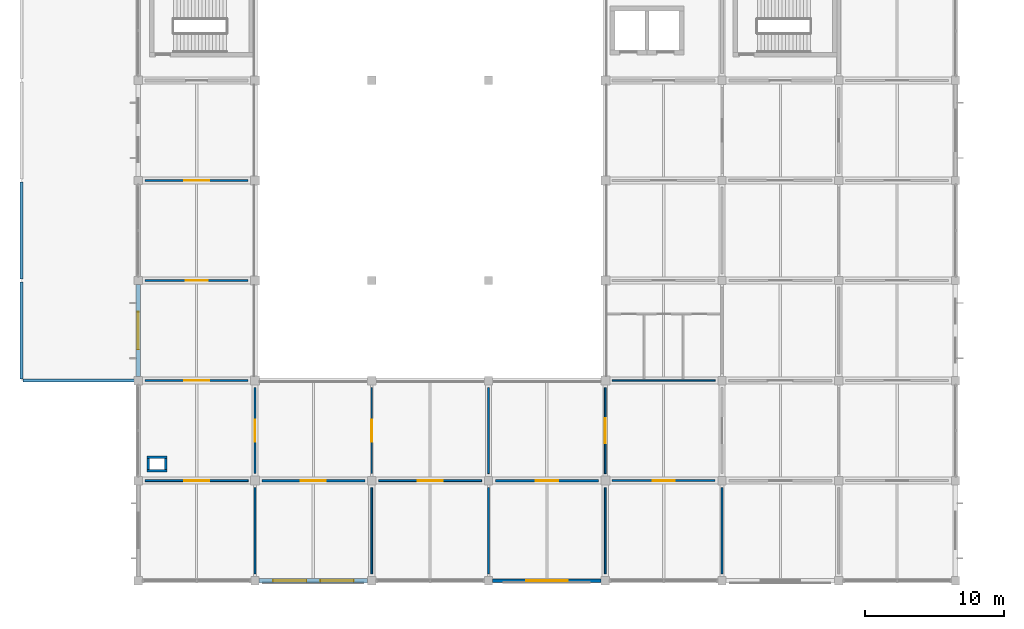
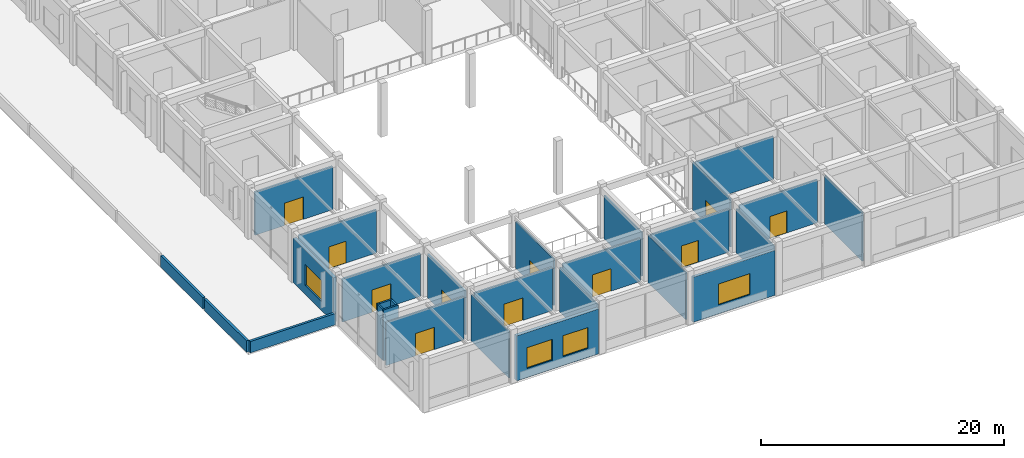
# One storey, part 19 of 38: 28 walls, 11 doors, 4 windows, 15 openings.
"""IFC4 building model written with IfcOpenShell, lengths in metres."""

from ifc_helpers import new_model, si_unit, derived_unit, direction, frame, frame_2d, origin, place, context, subcontext, project, spatial, rectangle, extrude, material, layer, layer_set, type_object, element, fill, save


model = new_model("IFC4")

# Units and contexts
model_context = context("Model", 3, precision=1e-05, world=origin(), true_north=direction((0.0, 1.0)))
body_context = subcontext(model_context, "Body", "Model", "MODEL_VIEW")
ifc_project = project(units=[si_unit("LENGTHUNIT", "METRE"), si_unit("AREAUNIT", "SQUARE_METRE"), si_unit("VOLUMEUNIT", "CUBIC_METRE"), si_unit("PLANEANGLEUNIT", "RADIAN"), si_unit("MASSUNIT", "GRAM", prefix="KILO"), derived_unit("THERMALTRANSMITTANCEUNIT", [(si_unit("MASSUNIT", "GRAM", prefix="KILO"), 1), (si_unit("TIMEUNIT", "SECOND"), -3), (si_unit("THERMODYNAMICTEMPERATUREUNIT", "KELVIN"), -1)])], contexts=[model_context])

# Site, building, storey
site_placement = place(None, origin())
site = spatial("IfcSite", under=ifc_project, at=site_placement, CompositionType="ELEMENT")
building_placement = place(site_placement, origin())
building = spatial("IfcBuilding", under=site, at=building_placement, Name="Veldstrom Oceanarium and Marine Research Institute", CompositionType="ELEMENT")
storey_placement = place(building_placement, frame((0.0, 0.0, 11.39990234375)))
storey = spatial("IfcBuildingStorey", under=building, at=storey_placement, Name="L02", CompositionType="ELEMENT", Elevation=11.39990234375)

# Wall, opening, window
ifc_material_1 = material(Name="Masonry Cavity Wall", Category="masonry")
ifc_layer_1 = layer(ifc_material_1, 0.31005859375)
ifc_layer_set_1 = layer_set([ifc_layer_1], Name="ARC-WAL-EW1")
wall_type_1 = type_object("IfcWallType", Name="ARC-WAL-EW1", PredefinedType="SOLIDWALL", material=ifc_layer_set_1)
wall_1_placement = place(storey_placement, frame((8.39990234375, 14.699951171875, 0.0), z_axis=(0.0, 0.0, 1.0), x_axis=(0.0, 1.0, 0.0)))
wall_1 = element("IfcWall", 1, at=wall_1_placement, inside=storey, type_object=wall_type_1, Name="Exterior Facade Wall EW1 L02-116", PredefinedType="SOLIDWALL", context=body_context, shape_type="SweptSolid", body=[
    extrude(rectangle(XDim=6.60009765625, YDim=0.31005859375, at=frame_2d((3.300048828125, 0.0))), origin(), (0.0, 0.0, 1.0), 4.445068359375),
])
opening_1_placement = place(wall_1_placement, frame((1.949951171875, 0.0, 0.89990234375)))
opening_1 = element("IfcOpeningElement", 2, at=opening_1_placement, cuts=wall_1, Name="Opening W08", PredefinedType="OPENING", context=body_context, shape_type="SweptSolid", body=[
    extrude(rectangle(XDim=2.699951171875, YDim=2.10009765625, at=frame_2d((1.35009765625, 1.050048828125))), frame((0.0, 0.1650390625, 0.0), z_axis=(0.0, -1.0, 0.0), x_axis=(1.0, 0.0, 0.0)), (0.0, 0.0, 1.0), 0.330078125),
])
ifc_material_2 = material(Name="Double Glazed Low-E IGU", Category="glass")
window_type_1 = type_object("IfcWindowType", Name="ARC-WIN-W08", PartitioningType="SINGLE_PANEL", PredefinedType="WINDOW", material=ifc_material_2)
window_1_placement = place(opening_1_placement, origin())
window_1 = element("IfcWindow", 3, at=window_1_placement, inside=storey, type_object=window_type_1, Name="Facade Window W08 L02-0082", OverallHeight=2.10009765625, OverallWidth=2.699951171875, PartitioningType="SINGLE_PANEL", PredefinedType="WINDOW", context=body_context, shape_type="SweptSolid", body=[
    extrude(rectangle(XDim=2.699951171875, YDim=2.10009765625, at=frame_2d((1.35009765625, 1.050048828125))), frame((0.0, 0.030029296875, 0.0), z_axis=(0.0, -1.0, 0.0), x_axis=(1.0, 0.0, 0.0)), (0.0, 0.0, 1.0), 0.06005859375),
])
fill(opening_1, window_1)

# Wall, openings, windows
wall_2_placement = place(storey_placement, frame((17.10009765625, 0.0, 0.0), z_axis=(0.0, 0.0, 1.0), x_axis=(1.0, 0.0, 0.0)))
wall_2 = element("IfcWall", 4, at=wall_2_placement, inside=storey, type_object=wall_type_1, Name="Exterior Facade Wall EW1 L02-121", PredefinedType="SOLIDWALL", context=body_context, shape_type="SweptSolid", body=[
    extrude(rectangle(XDim=7.7998046875, YDim=0.31005859375, at=frame_2d((3.89990234375, 0.0))), origin(), (0.0, 0.0, 1.0), 4.52001953125),
])
opening_2_placement = place(wall_2_placement, frame((1.0, 0.0, 0.89990234375)))
opening_2 = element("IfcOpeningElement", 5, at=opening_2_placement, cuts=wall_2, Name="Opening W09", PredefinedType="OPENING", context=body_context, shape_type="SweptSolid", body=[
    extrude(rectangle(XDim=2.39990234375, YDim=2.10009765625, at=frame_2d((1.199951171875, 1.050048828125))), frame((0.0, 0.1650390625, 0.0), z_axis=(0.0, -1.0, 0.0), x_axis=(1.0, 0.0, 0.0)), (0.0, 0.0, 1.0), 0.330078125),
])
opening_3_placement = place(wall_2_placement, frame((4.39990234375, 0.0, 0.89990234375)))
opening_3 = element("IfcOpeningElement", 6, at=opening_3_placement, cuts=wall_2, Name="Opening W09", PredefinedType="OPENING", context=body_context, shape_type="SweptSolid", body=[
    extrude(rectangle(XDim=2.39990234375, YDim=2.10009765625, at=frame_2d((1.199951171875, 1.050048828125))), frame((0.0, 0.1650390625, 0.0), z_axis=(0.0, -1.0, 0.0), x_axis=(1.0, 0.0, 0.0)), (0.0, 0.0, 1.0), 0.330078125),
])
ifc_material_3 = material(Name="Double Glazed Low-E IGU", Category="glass")
window_type_2 = type_object("IfcWindowType", Name="ARC-WIN-W09", PartitioningType="SINGLE_PANEL", PredefinedType="WINDOW", material=ifc_material_3)
window_2_placement = place(opening_2_placement, origin())
window_2 = element("IfcWindow", 7, at=window_2_placement, inside=storey, type_object=window_type_2, Name="Facade Window W09 L02-0087", OverallHeight=2.10009765625, OverallWidth=2.39990234375, PartitioningType="SINGLE_PANEL", PredefinedType="WINDOW", context=body_context, shape_type="SweptSolid", body=[
    extrude(rectangle(XDim=2.39990234375, YDim=2.10009765625, at=frame_2d((1.199951171875, 1.050048828125))), frame((0.0, 0.030029296875, 0.0), z_axis=(0.0, -1.0, 0.0), x_axis=(1.0, 0.0, 0.0)), (0.0, 0.0, 1.0), 0.06005859375),
])
fill(opening_2, window_2)
window_3_placement = place(opening_3_placement, origin())
window_3 = element("IfcWindow", 8, at=window_3_placement, inside=storey, type_object=window_type_2, Name="Facade Window W09 L02-0088", OverallHeight=2.10009765625, OverallWidth=2.39990234375, PartitioningType="SINGLE_PANEL", PredefinedType="WINDOW", context=body_context, shape_type="SweptSolid", body=[
    extrude(rectangle(XDim=2.39990234375, YDim=2.10009765625, at=frame_2d((1.199951171875, 1.050048828125))), frame((0.0, 0.030029296875, 0.0), z_axis=(0.0, -1.0, 0.0), x_axis=(1.0, 0.0, 0.0)), (0.0, 0.0, 1.0), 0.06005859375),
])
fill(opening_3, window_3)

# Wall, opening, window
ifc_material_4 = material(Name="Masonry Cavity Wall", Category="masonry")
ifc_layer_2 = layer(ifc_material_4, 0.25)
ifc_layer_set_2 = layer_set([ifc_layer_2], Name="ARC-WAL-EW5")
wall_type_2 = type_object("IfcWallType", Name="ARC-WAL-EW5", PredefinedType="SOLIDWALL", material=ifc_layer_set_2)
wall_3_placement = place(storey_placement, frame((33.89990234375, 0.0, 0.0), z_axis=(0.0, 0.0, 1.0), x_axis=(1.0, 0.0, 0.0)))
wall_3 = element("IfcWall", 9, at=wall_3_placement, inside=storey, type_object=wall_type_2, Name="Exterior Facade Wall EW5 L02-124", PredefinedType="SOLIDWALL", context=body_context, shape_type="SweptSolid", body=[
    extrude(rectangle(XDim=7.800048828125, YDim=0.25, at=frame_2d((3.89990234375, 0.0))), origin(), (0.0, 0.0, 1.0), 4.52001953125),
])
opening_4_placement = place(wall_3_placement, frame((2.39990234375, 0.0, 0.89990234375)))
opening_4 = element("IfcOpeningElement", 10, at=opening_4_placement, cuts=wall_3, Name="Opening W07", PredefinedType="OPENING", context=body_context, shape_type="SweptSolid", body=[
    extrude(rectangle(XDim=3.0, YDim=2.10009765625, at=frame_2d((1.5, 1.050048828125))), frame((0.0, 0.135009765625, 0.0), z_axis=(0.0, -1.0, 0.0), x_axis=(1.0, 0.0, 0.0)), (0.0, 0.0, 1.0), 0.27001953125),
])
ifc_material_5 = material(Name="Double Glazed Low-E IGU", Category="glass")
window_type_3 = type_object("IfcWindowType", Name="ARC-WIN-W07", PartitioningType="SINGLE_PANEL", PredefinedType="WINDOW", material=ifc_material_5)
window_4_placement = place(opening_4_placement, origin())
window_4 = element("IfcWindow", 11, at=window_4_placement, inside=storey, type_object=window_type_3, Name="Facade Window W07 L02-0089", OverallHeight=2.10009765625, OverallWidth=3.0, PartitioningType="SINGLE_PANEL", PredefinedType="WINDOW", context=body_context, shape_type="SweptSolid", body=[
    extrude(rectangle(XDim=3.0, YDim=2.10009765625, at=frame_2d((1.5, 1.050048828125))), frame((0.0, 0.030029296875, 0.0), z_axis=(0.0, -1.0, 0.0), x_axis=(1.0, 0.0, 0.0)), (0.0, 0.0, 1.0), 0.06005859375),
])
fill(opening_4, window_4)

# Walls
ifc_material_6 = material(Name="Masonry Cavity Wall", Category="masonry")
ifc_layer_3 = layer(ifc_material_6, 0.219970703125)
ifc_layer_set_3 = layer_set([ifc_layer_3], Name="ARC-WAL-PR1")
wall_type_3 = type_object("IfcWallType", Name="ARC-WAL-PR1", PredefinedType="PARAPET", material=ifc_layer_set_3)
wall_4_placement = place(storey_placement, frame((0.1201171875, 14.39990234375, 0.0), z_axis=(0.0, 0.0, 1.0), x_axis=(1.0, 0.0, 0.0)))
element("IfcWall", 12, at=wall_4_placement, inside=storey, type_object=wall_type_3, Name="Roof Parapet Wall L01-022", PredefinedType="PARAPET", context=body_context, shape_type="SweptSolid", body=[
    extrude(rectangle(XDim=8.159912109375, YDim=0.219970703125, at=frame_2d((4.080078125, 0.0))), origin(), (0.0, 0.0, 1.0), 1.150146484375),
])
for number, where, z_axis, x_axis, name in (
    (13, (0.0, 14.52001953125, 0.0), (0.0, 0.0, 1.0), (0.0, 1.0, 0.0), "Roof Parapet Wall L01-023"),
    (14, (0.0, 21.719970703125, 0.0), (0.0, 0.0, 1.0), (0.0, 1.0, 0.0), "Roof Parapet Wall L01-024"),
):
    element("IfcWall", number, at=place(storey_placement, frame(where, z_axis=z_axis, x_axis=x_axis)), inside=storey, type_object=wall_type_3, Name=name, PredefinedType="PARAPET", context=body_context, shape_type="SweptSolid", body=[
        extrude(rectangle(XDim=6.9599609375, YDim=0.219970703125, at=frame_2d((3.47998046875, 0.0))), origin(), (0.0, 0.0, 1.0), 1.150146484375),
    ])

# Wall, opening, door
ifc_material_7 = material(Name="Drywall Corridor Partition", Category="gypsum")
ifc_layer_4 = layer(ifc_material_7, 0.155029296875)
ifc_layer_set_4 = layer_set([ifc_layer_4], Name="ARC-WAL-PT4")
wall_type_4 = type_object("IfcWallType", Name="ARC-WAL-PT4", PredefinedType="PARTITIONING", material=ifc_layer_set_4)
wall_5_placement = place(storey_placement, frame((16.800048828125, 7.699951171875, 0.0), z_axis=(0.0, 0.0, 1.0), x_axis=(0.0, 1.0, 0.0)))
wall_5 = element("IfcWall", 15, at=wall_5_placement, inside=storey, type_object=wall_type_4, Name="Interior Partition PT4 L02-1064", PredefinedType="PARTITIONING", context=body_context, shape_type="SweptSolid", body=[
    extrude(rectangle(XDim=6.199951171875, YDim=0.155029296875, at=frame_2d((3.10009765625, 0.0))), origin(), (0.0, 0.0, 1.0), 4.39501953125),
])
opening_5_placement = place(wall_5_placement, frame((2.300048828125, 0.0, 0.0)))
opening_5 = element("IfcOpeningElement", 16, at=opening_5_placement, cuts=wall_5, Name="Opening D-L02-619", PredefinedType="OPENING", context=body_context, shape_type="SweptSolid", body=[
    extrude(rectangle(XDim=1.60009765625, YDim=2.199951171875, at=frame_2d((0.800048828125, 1.10009765625))), frame((0.0, 0.08740234375, 0.0), z_axis=(0.0, -1.0, 0.0), x_axis=(1.0, 0.0, 0.0)), (0.0, 0.0, 1.0), 0.175048828125),
])
ifc_material_8 = material(Name="Acoustic Timber Corridor Door", Category="wood")
door_type_1 = type_object("IfcDoorType", Name="ARC-DOR-ID02", OperationType="DOUBLE_DOOR_SINGLE_SWING", PredefinedType="DOOR", material=ifc_material_8)
door_1_placement = place(opening_5_placement, frame((1.60009765625, 0.0, 0.0), z_axis=(0.0, 0.0, 1.0), x_axis=(-1.0, 0.0, 0.0)))
door_1 = element("IfcDoor", 17, at=door_1_placement, inside=storey, type_object=door_type_1, Name="Interior Door D-L02-619", OperationType="DOUBLE_DOOR_SINGLE_SWING", OverallHeight=2.199951171875, OverallWidth=1.60009765625, PredefinedType="DOOR", context=body_context, shape_type="SweptSolid", body=[
    extrude(rectangle(XDim=1.60009765625, YDim=2.199951171875, at=frame_2d((0.800048828125, 1.10009765625))), frame((0.0, 0.02490234375, 0.0), z_axis=(0.0, -1.0, 0.0), x_axis=(1.0, 0.0, 0.0)), (0.0, 0.0, 1.0), 0.050048828125),
])
fill(opening_5, door_1)

wall_6_placement = place(storey_placement, frame((8.89990234375, 14.39990234375, 0.0), z_axis=(0.0, 0.0, 1.0), x_axis=(1.0, 0.0, 0.0)))
wall_6 = element("IfcWall", 18, at=wall_6_placement, inside=storey, type_object=wall_type_4, Name="Interior Partition PT4 L02-1065", PredefinedType="PARTITIONING", context=body_context, shape_type="SweptSolid", body=[
    extrude(rectangle(XDim=7.400146484375, YDim=0.155029296875, at=frame_2d((3.7001953125, 0.0))), origin(), (0.0, 0.0, 1.0), 4.34521484375),
])
opening_6_placement = place(wall_6_placement, frame((2.800048828125, 0.0, 0.0)))
opening_6 = element("IfcOpeningElement", 19, at=opening_6_placement, cuts=wall_6, Name="Opening D-L02-620", PredefinedType="OPENING", context=body_context, shape_type="SweptSolid", body=[
    extrude(rectangle(XDim=1.800048828125, YDim=2.25, at=frame_2d((0.89990234375, 1.125))), frame((0.0, 0.08740234375, 0.0), z_axis=(0.0, -1.0, 0.0), x_axis=(1.0, 0.0, 0.0)), (0.0, 0.0, 1.0), 0.175048828125),
])
ifc_material_9 = material(Name="Acoustic Timber Gallery Door", Category="wood")
door_type_2 = type_object("IfcDoorType", Name="ARC-DOR-ID01", OperationType="DOUBLE_DOOR_SINGLE_SWING", PredefinedType="DOOR", material=ifc_material_9)
door_2_placement = place(opening_6_placement, origin())
door_2 = element("IfcDoor", 20, at=door_2_placement, inside=storey, type_object=door_type_2, Name="Interior Door D-L02-620", OperationType="DOUBLE_DOOR_SINGLE_SWING", OverallHeight=2.25, OverallWidth=1.800048828125, PredefinedType="DOOR", context=body_context, shape_type="SweptSolid", body=[
    extrude(rectangle(XDim=1.800048828125, YDim=2.25, at=frame_2d((0.89990234375, 1.125))), frame((0.0, 0.02490234375, 0.0), z_axis=(0.0, -1.0, 0.0), x_axis=(1.0, 0.0, 0.0)), (0.0, 0.0, 1.0), 0.050048828125),
])
fill(opening_6, door_2)

wall_7_placement = place(storey_placement, frame((8.89990234375, 28.800048828125, 0.0), z_axis=(0.0, 0.0, 1.0), x_axis=(1.0, 0.0, 0.0)))
wall_7 = element("IfcWall", 21, at=wall_7_placement, inside=storey, type_object=wall_type_4, Name="Interior Partition PT4 L02-1067", PredefinedType="PARTITIONING", context=body_context, shape_type="SweptSolid", body=[
    extrude(rectangle(XDim=7.400146484375, YDim=0.155029296875, at=frame_2d((3.7001953125, 0.0))), origin(), (0.0, 0.0, 1.0), 4.34521484375),
])
opening_7_placement = place(wall_7_placement, frame((2.800048828125, 0.0, 0.0)))
opening_7 = element("IfcOpeningElement", 22, at=opening_7_placement, cuts=wall_7, Name="Opening D-L02-622", PredefinedType="OPENING", context=body_context, shape_type="SweptSolid", body=[
    extrude(rectangle(XDim=1.800048828125, YDim=2.25, at=frame_2d((0.89990234375, 1.125))), frame((0.0, 0.08740234375, 0.0), z_axis=(0.0, -1.0, 0.0), x_axis=(1.0, 0.0, 0.0)), (0.0, 0.0, 1.0), 0.175048828125),
])
door_3_placement = place(opening_7_placement, origin())
door_3 = element("IfcDoor", 23, at=door_3_placement, inside=storey, type_object=door_type_2, Name="Interior Door D-L02-622", OperationType="DOUBLE_DOOR_SINGLE_SWING", OverallHeight=2.25, OverallWidth=1.800048828125, PredefinedType="DOOR", context=body_context, shape_type="SweptSolid", body=[
    extrude(rectangle(XDim=1.800048828125, YDim=2.25, at=frame_2d((0.89990234375, 1.125))), frame((0.0, 0.02490234375, 0.0), z_axis=(0.0, -1.0, 0.0), x_axis=(1.0, 0.0, 0.0)), (0.0, 0.0, 1.0), 0.050048828125),
])
fill(opening_7, door_3)

wall_8_placement = place(storey_placement, frame((17.300048828125, 7.199951171875, 0.0), z_axis=(0.0, 0.0, 1.0), x_axis=(1.0, 0.0, 0.0)))
wall_8 = element("IfcWall", 24, at=wall_8_placement, inside=storey, type_object=wall_type_4, Name="Interior Partition PT4 L02-1078", PredefinedType="PARTITIONING", context=body_context, shape_type="SweptSolid", body=[
    extrude(rectangle(XDim=7.39990234375, YDim=0.155029296875, at=frame_2d((3.699951171875, 0.0))), origin(), (0.0, 0.0, 1.0), 4.34521484375),
])
opening_8_placement = place(wall_8_placement, frame((2.800048828125, 0.0, 0.0)))
opening_8 = element("IfcOpeningElement", 25, at=opening_8_placement, cuts=wall_8, Name="Opening D-L02-628", PredefinedType="OPENING", context=body_context, shape_type="SweptSolid", body=[
    extrude(rectangle(XDim=1.800048828125, YDim=2.25, at=frame_2d((0.89990234375, 1.125))), frame((0.0, 0.08740234375, 0.0), z_axis=(0.0, -1.0, 0.0), x_axis=(1.0, 0.0, 0.0)), (0.0, 0.0, 1.0), 0.175048828125),
])
door_4_placement = place(opening_8_placement, origin())
door_4 = element("IfcDoor", 26, at=door_4_placement, inside=storey, type_object=door_type_2, Name="Interior Door D-L02-628", OperationType="DOUBLE_DOOR_SINGLE_SWING", OverallHeight=2.25, OverallWidth=1.800048828125, PredefinedType="DOOR", context=body_context, shape_type="SweptSolid", body=[
    extrude(rectangle(XDim=1.800048828125, YDim=2.25, at=frame_2d((0.89990234375, 1.125))), frame((0.0, 0.02490234375, 0.0), z_axis=(0.0, -1.0, 0.0), x_axis=(1.0, 0.0, 0.0)), (0.0, 0.0, 1.0), 0.050048828125),
])
fill(opening_8, door_4)

wall_9_placement = place(storey_placement, frame((34.10009765625, 7.199951171875, 0.0), z_axis=(0.0, 0.0, 1.0), x_axis=(1.0, 0.0, 0.0)))
wall_9 = element("IfcWall", 27, at=wall_9_placement, inside=storey, type_object=wall_type_4, Name="Interior Partition PT4 L02-1098", PredefinedType="PARTITIONING", context=body_context, shape_type="SweptSolid", body=[
    extrude(rectangle(XDim=7.39990234375, YDim=0.155029296875, at=frame_2d((3.699951171875, 0.0))), origin(), (0.0, 0.0, 1.0), 4.34521484375),
])
opening_9_placement = place(wall_9_placement, frame((2.89990234375, 0.0, 0.0)))
opening_9 = element("IfcOpeningElement", 28, at=opening_9_placement, cuts=wall_9, Name="Opening D-L02-639", PredefinedType="OPENING", context=body_context, shape_type="SweptSolid", body=[
    extrude(rectangle(XDim=1.60009765625, YDim=2.199951171875, at=frame_2d((0.800048828125, 1.10009765625))), frame((0.0, 0.08740234375, 0.0), z_axis=(0.0, -1.0, 0.0), x_axis=(1.0, 0.0, 0.0)), (0.0, 0.0, 1.0), 0.175048828125),
])
door_5_placement = place(opening_9_placement, origin())
door_5 = element("IfcDoor", 29, at=door_5_placement, inside=storey, type_object=door_type_1, Name="Interior Door D-L02-639", OperationType="DOUBLE_DOOR_SINGLE_SWING", OverallHeight=2.199951171875, OverallWidth=1.60009765625, PredefinedType="DOOR", context=body_context, shape_type="SweptSolid", body=[
    extrude(rectangle(XDim=1.60009765625, YDim=2.199951171875, at=frame_2d((0.800048828125, 1.10009765625))), frame((0.0, 0.02490234375, 0.0), z_axis=(0.0, -1.0, 0.0), x_axis=(1.0, 0.0, 0.0)), (0.0, 0.0, 1.0), 0.050048828125),
])
fill(opening_9, door_5)

ifc_material_10 = material(Name="Moisture-Resistant Wet-Area Partition", Category="masonry")
ifc_layer_5 = layer(ifc_material_10, 0.139892578125)
ifc_layer_set_5 = layer_set([ifc_layer_5], Name="ARC-WAL-PT5")
wall_type_5 = type_object("IfcWallType", Name="ARC-WAL-PT5", PredefinedType="PARTITIONING", material=ifc_layer_set_5)
wall_10_placement = place(storey_placement, frame((8.89990234375, 7.199951171875, 0.0), z_axis=(0.0, 0.0, 1.0), x_axis=(1.0, 0.0, 0.0)))
wall_10 = element("IfcWall", 30, at=wall_10_placement, inside=storey, type_object=wall_type_5, Name="Interior Partition PT5 L02-1063", PredefinedType="PARTITIONING", context=body_context, shape_type="SweptSolid", body=[
    extrude(rectangle(XDim=7.400146484375, YDim=0.139892578125, at=frame_2d((3.7001953125, 0.0))), origin(), (0.0, 0.0, 1.0), 4.34521484375),
])
opening_10_placement = place(wall_10_placement, frame((2.800048828125, 0.0, 0.0)))
opening_10 = element("IfcOpeningElement", 31, at=opening_10_placement, cuts=wall_10, Name="Opening D-L02-618", PredefinedType="OPENING", context=body_context, shape_type="SweptSolid", body=[
    extrude(rectangle(XDim=1.800048828125, YDim=2.25, at=frame_2d((0.89990234375, 1.125))), frame((0.0, 0.079833984375, 0.0), z_axis=(0.0, -1.0, 0.0), x_axis=(1.0, 0.0, 0.0)), (0.0, 0.0, 1.0), 0.159912109375),
])
door_6_placement = place(opening_10_placement, frame((1.800048828125, 0.0, 0.0), z_axis=(0.0, 0.0, 1.0), x_axis=(-1.0, 0.0, 0.0)))
door_6 = element("IfcDoor", 32, at=door_6_placement, inside=storey, type_object=door_type_2, Name="Interior Door D-L02-618", OperationType="DOUBLE_DOOR_SINGLE_SWING", OverallHeight=2.25, OverallWidth=1.800048828125, PredefinedType="DOOR", context=body_context, shape_type="SweptSolid", body=[
    extrude(rectangle(XDim=1.800048828125, YDim=2.25, at=frame_2d((0.89990234375, 1.125))), frame((0.0, 0.02490234375, 0.0), z_axis=(0.0, -1.0, 0.0), x_axis=(1.0, 0.0, 0.0)), (0.0, 0.0, 1.0), 0.050048828125),
])
fill(opening_10, door_6)

wall_11_placement = place(storey_placement, frame((8.89990234375, 21.60009765625, 0.0), z_axis=(0.0, 0.0, 1.0), x_axis=(1.0, 0.0, 0.0)))
wall_11 = element("IfcWall", 33, at=wall_11_placement, inside=storey, type_object=wall_type_5, Name="Interior Partition PT5 L02-1066", PredefinedType="PARTITIONING", context=body_context, shape_type="SweptSolid", body=[
    extrude(rectangle(XDim=7.400146484375, YDim=0.139892578125, at=frame_2d((3.7001953125, 0.0))), origin(), (0.0, 0.0, 1.0), 4.34521484375),
])
opening_11_placement = place(wall_11_placement, frame((2.89990234375, 0.0, 0.0)))
opening_11 = element("IfcOpeningElement", 34, at=opening_11_placement, cuts=wall_11, Name="Opening D-L02-621", PredefinedType="OPENING", context=body_context, shape_type="SweptSolid", body=[
    extrude(rectangle(XDim=1.60009765625, YDim=2.199951171875, at=frame_2d((0.800048828125, 1.10009765625))), frame((0.0, 0.079833984375, 0.0), z_axis=(0.0, -1.0, 0.0), x_axis=(1.0, 0.0, 0.0)), (0.0, 0.0, 1.0), 0.159912109375),
])
door_7_placement = place(opening_11_placement, frame((1.60009765625, 0.0, 0.0), z_axis=(0.0, 0.0, 1.0), x_axis=(-1.0, 0.0, 0.0)))
door_7 = element("IfcDoor", 35, at=door_7_placement, inside=storey, type_object=door_type_1, Name="Interior Door D-L02-621", OperationType="DOUBLE_DOOR_SINGLE_SWING", OverallHeight=2.199951171875, OverallWidth=1.60009765625, PredefinedType="DOOR", context=body_context, shape_type="SweptSolid", body=[
    extrude(rectangle(XDim=1.60009765625, YDim=2.199951171875, at=frame_2d((0.800048828125, 1.10009765625))), frame((0.0, 0.02490234375, 0.0), z_axis=(0.0, -1.0, 0.0), x_axis=(1.0, 0.0, 0.0)), (0.0, 0.0, 1.0), 0.050048828125),
])
fill(opening_11, door_7)

wall_12_placement = place(storey_placement, frame((25.199951171875, 7.699951171875, 0.0), z_axis=(0.0, 0.0, 1.0), x_axis=(0.0, 1.0, 0.0)))
wall_12 = element("IfcWall", 36, at=wall_12_placement, inside=storey, type_object=wall_type_5, Name="Interior Partition PT5 L02-1079", PredefinedType="PARTITIONING", context=body_context, shape_type="SweptSolid", body=[
    extrude(rectangle(XDim=6.199951171875, YDim=0.139892578125, at=frame_2d((3.10009765625, 0.0))), origin(), (0.0, 0.0, 1.0), 4.695068359375),
])
opening_12_placement = place(wall_12_placement, frame((2.300048828125, 0.0, 0.0)))
opening_12 = element("IfcOpeningElement", 37, at=opening_12_placement, cuts=wall_12, Name="Opening D-L02-629", PredefinedType="OPENING", context=body_context, shape_type="SweptSolid", body=[
    extrude(rectangle(XDim=1.60009765625, YDim=2.199951171875, at=frame_2d((0.800048828125, 1.10009765625))), frame((0.0, 0.079833984375, 0.0), z_axis=(0.0, -1.0, 0.0), x_axis=(1.0, 0.0, 0.0)), (0.0, 0.0, 1.0), 0.159912109375),
])
door_8_placement = place(opening_12_placement, origin())
door_8 = element("IfcDoor", 38, at=door_8_placement, inside=storey, type_object=door_type_1, Name="Interior Door D-L02-629", OperationType="DOUBLE_DOOR_SINGLE_SWING", OverallHeight=2.199951171875, OverallWidth=1.60009765625, PredefinedType="DOOR", context=body_context, shape_type="SweptSolid", body=[
    extrude(rectangle(XDim=1.60009765625, YDim=2.199951171875, at=frame_2d((0.800048828125, 1.10009765625))), frame((0.0, 0.02490234375, 0.0), z_axis=(0.0, -1.0, 0.0), x_axis=(1.0, 0.0, 0.0)), (0.0, 0.0, 1.0), 0.050048828125),
])
fill(opening_12, door_8)

wall_13_placement = place(storey_placement, frame((25.699951171875, 7.199951171875, 0.0), z_axis=(0.0, 0.0, 1.0), x_axis=(1.0, 0.0, 0.0)))
wall_13 = element("IfcWall", 39, at=wall_13_placement, inside=storey, type_object=wall_type_5, Name="Interior Partition PT5 L02-1088", PredefinedType="PARTITIONING", context=body_context, shape_type="SweptSolid", body=[
    extrude(rectangle(XDim=7.400146484375, YDim=0.139892578125, at=frame_2d((3.7001953125, 0.0))), origin(), (0.0, 0.0, 1.0), 4.34521484375),
])
opening_13_placement = place(wall_13_placement, frame((2.800048828125, 0.0, 0.0)))
opening_13 = element("IfcOpeningElement", 40, at=opening_13_placement, cuts=wall_13, Name="Opening D-L02-634", PredefinedType="OPENING", context=body_context, shape_type="SweptSolid", body=[
    extrude(rectangle(XDim=1.800048828125, YDim=2.25, at=frame_2d((0.89990234375, 1.125))), frame((0.0, 0.079833984375, 0.0), z_axis=(0.0, -1.0, 0.0), x_axis=(1.0, 0.0, 0.0)), (0.0, 0.0, 1.0), 0.159912109375),
])
door_9_placement = place(opening_13_placement, frame((1.800048828125, 0.0, 0.0), z_axis=(0.0, 0.0, 1.0), x_axis=(-1.0, 0.0, 0.0)))
door_9 = element("IfcDoor", 41, at=door_9_placement, inside=storey, type_object=door_type_2, Name="Interior Door D-L02-634", OperationType="DOUBLE_DOOR_SINGLE_SWING", OverallHeight=2.25, OverallWidth=1.800048828125, PredefinedType="DOOR", context=body_context, shape_type="SweptSolid", body=[
    extrude(rectangle(XDim=1.800048828125, YDim=2.25, at=frame_2d((0.89990234375, 1.125))), frame((0.0, 0.02490234375, 0.0), z_axis=(0.0, -1.0, 0.0), x_axis=(1.0, 0.0, 0.0)), (0.0, 0.0, 1.0), 0.050048828125),
])
fill(opening_13, door_9)

wall_14_placement = place(storey_placement, frame((42.0, 7.699951171875, 0.0), z_axis=(0.0, 0.0, 1.0), x_axis=(0.0, 1.0, 0.0)))
wall_14 = element("IfcWall", 42, at=wall_14_placement, inside=storey, type_object=wall_type_5, Name="Interior Partition PT5 L02-1099", PredefinedType="PARTITIONING", context=body_context, shape_type="SweptSolid", body=[
    extrude(rectangle(XDim=6.199951171875, YDim=0.139892578125, at=frame_2d((3.10009765625, 0.0))), origin(), (0.0, 0.0, 1.0), 4.80517578125),
])
opening_14_placement = place(wall_14_placement, frame((2.199951171875, 0.0, 0.0)))
opening_14 = element("IfcOpeningElement", 43, at=opening_14_placement, cuts=wall_14, Name="Opening D-L02-640", PredefinedType="OPENING", context=body_context, shape_type="SweptSolid", body=[
    extrude(rectangle(XDim=1.800048828125, YDim=2.25, at=frame_2d((0.89990234375, 1.125))), frame((0.0, 0.079833984375, 0.0), z_axis=(0.0, -1.0, 0.0), x_axis=(1.0, 0.0, 0.0)), (0.0, 0.0, 1.0), 0.159912109375),
])
door_10_placement = place(opening_14_placement, origin())
door_10 = element("IfcDoor", 44, at=door_10_placement, inside=storey, type_object=door_type_2, Name="Interior Door D-L02-640", OperationType="DOUBLE_DOOR_SINGLE_SWING", OverallHeight=2.25, OverallWidth=1.800048828125, PredefinedType="DOOR", context=body_context, shape_type="SweptSolid", body=[
    extrude(rectangle(XDim=1.800048828125, YDim=2.25, at=frame_2d((0.89990234375, 1.125))), frame((0.0, 0.02490234375, 0.0), z_axis=(0.0, -1.0, 0.0), x_axis=(1.0, 0.0, 0.0)), (0.0, 0.0, 1.0), 0.050048828125),
])
fill(opening_14, door_10)

wall_15_placement = place(storey_placement, frame((42.5, 7.199951171875, 0.0), z_axis=(0.0, 0.0, 1.0), x_axis=(1.0, 0.0, 0.0)))
wall_15 = element("IfcWall", 45, at=wall_15_placement, inside=storey, type_object=wall_type_5, Name="Interior Partition PT5 L02-1108", PredefinedType="PARTITIONING", context=body_context, shape_type="SweptSolid", body=[
    extrude(rectangle(XDim=7.39990234375, YDim=0.139892578125, at=frame_2d((3.699951171875, 0.0))), origin(), (0.0, 0.0, 1.0), 4.34521484375),
])
opening_15_placement = place(wall_15_placement, frame((2.89990234375, 0.0, 0.0)))
opening_15 = element("IfcOpeningElement", 46, at=opening_15_placement, cuts=wall_15, Name="Opening D-L02-645", PredefinedType="OPENING", context=body_context, shape_type="SweptSolid", body=[
    extrude(rectangle(XDim=1.60009765625, YDim=2.199951171875, at=frame_2d((0.800048828125, 1.10009765625))), frame((0.0, 0.079833984375, 0.0), z_axis=(0.0, -1.0, 0.0), x_axis=(1.0, 0.0, 0.0)), (0.0, 0.0, 1.0), 0.159912109375),
])
door_11_placement = place(opening_15_placement, frame((1.60009765625, 0.0, 0.0), z_axis=(0.0, 0.0, 1.0), x_axis=(-1.0, 0.0, 0.0)))
door_11 = element("IfcDoor", 47, at=door_11_placement, inside=storey, type_object=door_type_1, Name="Interior Door D-L02-645", OperationType="DOUBLE_DOOR_SINGLE_SWING", OverallHeight=2.199951171875, OverallWidth=1.60009765625, PredefinedType="DOOR", context=body_context, shape_type="SweptSolid", body=[
    extrude(rectangle(XDim=1.60009765625, YDim=2.199951171875, at=frame_2d((0.800048828125, 1.10009765625))), frame((0.0, 0.02490234375, 0.0), z_axis=(0.0, -1.0, 0.0), x_axis=(1.0, 0.0, 0.0)), (0.0, 0.0, 1.0), 0.050048828125),
])
fill(opening_15, door_11)

# Walls
ifc_material_11 = material(Name="Lightweight Studio Partition", Category="gypsum")
ifc_layer_6 = layer(ifc_material_11, 0.1201171875)
ifc_layer_set_6 = layer_set([ifc_layer_6], Name="ARC-WAL-PT6")
wall_type_6 = type_object("IfcWallType", Name="ARC-WAL-PT6", PredefinedType="PARTITIONING", material=ifc_layer_set_6)
wall_16_placement = place(storey_placement, frame((16.800048828125, 0.5, 0.0), z_axis=(0.0, 0.0, 1.0), x_axis=(0.0, 1.0, 0.0)))
element("IfcWall", 48, at=wall_16_placement, inside=storey, type_object=wall_type_6, Name="Interior Partition PT6 L02-1062", PredefinedType="PARTITIONING", context=body_context, shape_type="SweptSolid", body=[
    extrude(rectangle(XDim=6.199951171875, YDim=0.1201171875, at=frame_2d((3.10009765625, 0.0))), origin(), (0.0, 0.0, 1.0), 4.670166015625),
])
wall_17_placement = place(storey_placement, frame((25.199951171875, 0.5, 0.0), z_axis=(0.0, 0.0, 1.0), x_axis=(0.0, 1.0, 0.0)))
element("IfcWall", 49, at=wall_17_placement, inside=storey, type_object=wall_type_6, Name="Interior Partition PT6 L02-1077", PredefinedType="PARTITIONING", context=body_context, shape_type="SweptSolid", body=[
    extrude(rectangle(XDim=6.199951171875, YDim=0.1201171875, at=frame_2d((3.10009765625, 0.0))), origin(), (0.0, 0.0, 1.0), 4.47021484375),
])
wall_18_placement = place(storey_placement, frame((33.60009765625, 0.5, 0.0), z_axis=(0.0, 0.0, 1.0), x_axis=(0.0, 1.0, 0.0)))
element("IfcWall", 50, at=wall_18_placement, inside=storey, type_object=wall_type_6, Name="Interior Partition PT6 L02-1087", PredefinedType="PARTITIONING", context=body_context, shape_type="SweptSolid", body=[
    extrude(rectangle(XDim=6.199951171875, YDim=0.1201171875, at=frame_2d((3.10009765625, 0.0))), origin(), (0.0, 0.0, 1.0), 4.77001953125),
])
wall_19_placement = place(storey_placement, frame((33.60009765625, 7.699951171875, 0.0), z_axis=(0.0, 0.0, 1.0), x_axis=(0.0, 1.0, 0.0)))
element("IfcWall", 51, at=wall_19_placement, inside=storey, type_object=wall_type_6, Name="Interior Partition PT6 L02-1089", PredefinedType="PARTITIONING", context=body_context, shape_type="SweptSolid", body=[
    extrude(rectangle(XDim=6.199951171875, YDim=0.1201171875, at=frame_2d((3.10009765625, 0.0))), origin(), (0.0, 0.0, 1.0), 4.39501953125),
])
wall_20_placement = place(storey_placement, frame((42.0, 0.5, 0.0), z_axis=(0.0, 0.0, 1.0), x_axis=(0.0, 1.0, 0.0)))
element("IfcWall", 52, at=wall_20_placement, inside=storey, type_object=wall_type_6, Name="Interior Partition PT6 L02-1097", PredefinedType="PARTITIONING", context=body_context, shape_type="SweptSolid", body=[
    extrude(rectangle(XDim=6.199951171875, YDim=0.1201171875, at=frame_2d((3.10009765625, 0.0))), origin(), (0.0, 0.0, 1.0), 4.47021484375),
])
wall_21_placement = place(storey_placement, frame((50.39990234375, 0.5, 0.0), z_axis=(0.0, 0.0, 1.0), x_axis=(0.0, 1.0, 0.0)))
element("IfcWall", 53, at=wall_21_placement, inside=storey, type_object=wall_type_6, Name="Interior Partition PT6 L02-1107", PredefinedType="PARTITIONING", context=body_context, shape_type="SweptSolid", body=[
    extrude(rectangle(XDim=6.199951171875, YDim=0.1201171875, at=frame_2d((3.10009765625, 0.0))), origin(), (0.0, 0.0, 1.0), 4.880126953125),
])
wall_22_placement = place(storey_placement, frame((42.5, 14.39990234375, 0.0), z_axis=(0.0, 0.0, 1.0), x_axis=(1.0, 0.0, 0.0)))
element("IfcWall", 54, at=wall_22_placement, inside=storey, type_object=wall_type_6, Name="Interior Partition PT6 L02-1110", PredefinedType="PARTITIONING", context=body_context, shape_type="SweptSolid", body=[
    extrude(rectangle(XDim=7.39990234375, YDim=0.1201171875, at=frame_2d((3.699951171875, 0.0))), origin(), (0.0, 0.0, 1.0), 4.34521484375),
])
ifc_material_12 = material(Name="Service Riser Fire Shaft Wall", Category="masonry")
ifc_layer_7 = layer(ifc_material_12, 0.1650390625)
ifc_layer_set_7 = layer_set([ifc_layer_7], Name="ARC-WAL-PT9")
wall_type_7 = type_object("IfcWallType", Name="ARC-WAL-PT9", PredefinedType="PARTITIONING", material=ifc_layer_set_7)
for number, where, z_axis, x_axis, name in (
    (55, (9.034912109375, 7.91748046875, 0.0), (0.0, 0.0, 1.0), (1.0, 0.0, 0.0), "Service Riser Fire Shaft Wall L02-WS-S"),
    (56, (9.034912109375, 8.882568359375, 0.0), (0.0, 0.0, 1.0), (1.0, 0.0, 0.0), "Service Riser Fire Shaft Wall L02-WS-N"),
):
    element("IfcWall", number, at=place(storey_placement, frame(where, z_axis=z_axis, x_axis=x_axis)), inside=storey, type_object=wall_type_7, Name=name, PredefinedType="PARTITIONING", context=body_context, shape_type="SweptSolid", body=[
        extrude(rectangle(XDim=1.43017578125, YDim=0.1650390625, at=frame_2d((0.715087890625, 0.0))), origin(), (0.0, 0.0, 1.0), 5.10009765625),
    ])
for number, where, z_axis, x_axis, name in (
    (57, (9.117431640625, 8.0, 0.0), (0.0, 0.0, 1.0), (0.0, 1.0, 0.0), "Service Riser Fire Shaft Wall L02-WS-W"),
    (58, (10.382568359375, 8.0, 0.0), (0.0, 0.0, 1.0), (0.0, 1.0, 0.0), "Service Riser Fire Shaft Wall L02-WS-E"),
):
    element("IfcWall", number, at=place(storey_placement, frame(where, z_axis=z_axis, x_axis=x_axis)), inside=storey, type_object=wall_type_7, Name=name, PredefinedType="PARTITIONING", context=body_context, shape_type="SweptSolid", body=[
        extrude(rectangle(XDim=0.800048828125, YDim=0.1650390625, at=frame_2d((0.39990234375, 0.0))), origin(), (0.0, 0.0, 1.0), 5.10009765625),
    ])

save(model, "model.ifc")
